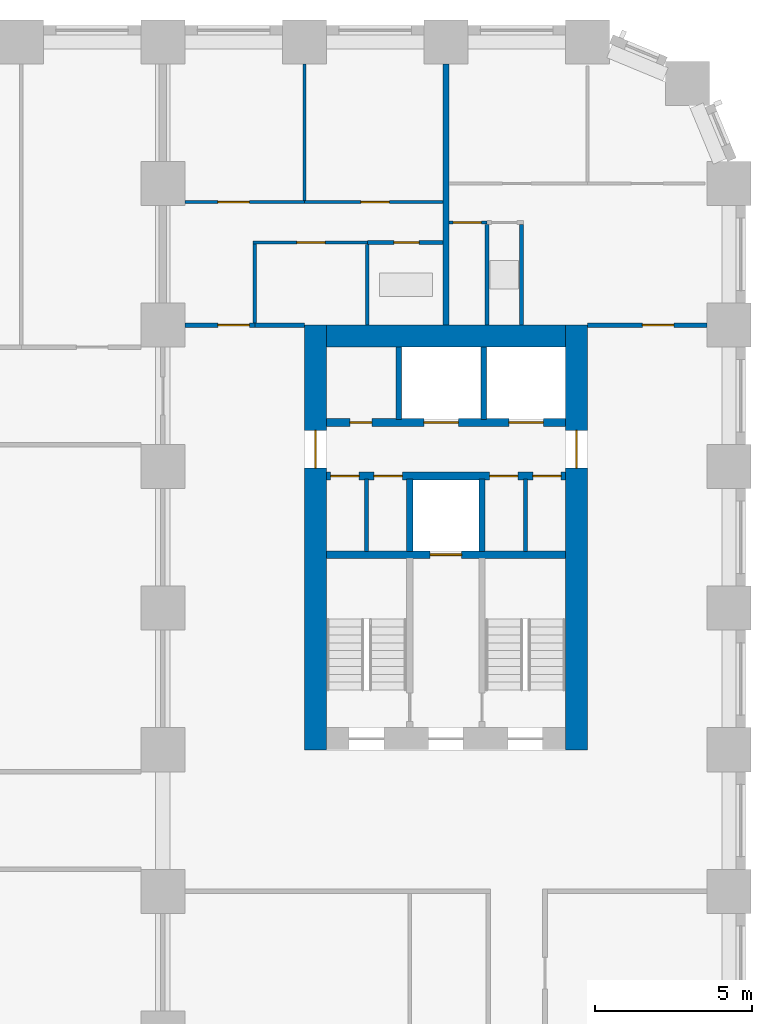
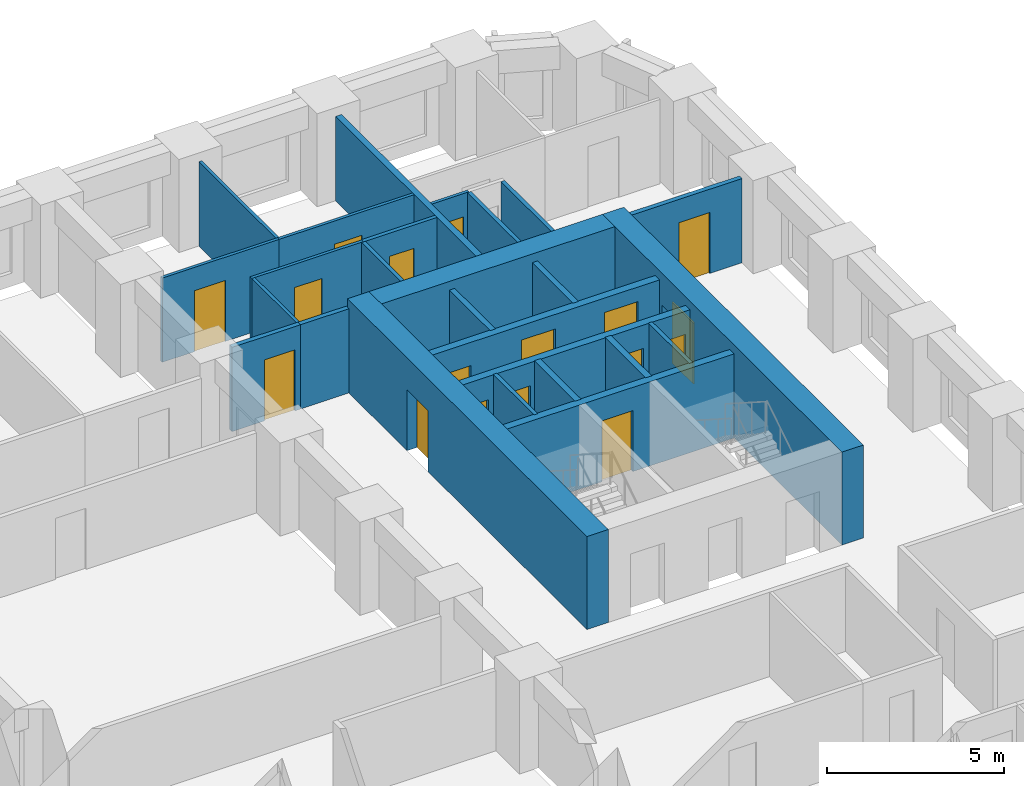
# One storey, part 8 of 12: 26 walls, 17 doors, 17 openings.
"""IFC4 building model written with IfcOpenShell, lengths in metres."""

from ifc_helpers import new_model, si_unit, direction, frame, frame_2d, origin, place, context, subcontext, project, spatial, rectangle, extrude, material, layer, layer_set, type_object, element, fill, save


model = new_model("IFC4")

# Units and contexts
model_context = context("Model", 3, precision=1e-05, world=origin(), true_north=direction((0.0, 1.0)))
body_context = subcontext(model_context, "Body", "Model", "MODEL_VIEW")
ifc_project = project(units=[si_unit("LENGTHUNIT", "METRE"), si_unit("AREAUNIT", "SQUARE_METRE"), si_unit("VOLUMEUNIT", "CUBIC_METRE"), si_unit("PLANEANGLEUNIT", "RADIAN"), si_unit("MASSUNIT", "GRAM", prefix="KILO")], contexts=[model_context])

# Site, building, storey
site_placement = place(None, origin())
site = spatial("IfcSite", under=ifc_project, at=site_placement, CompositionType="ELEMENT")
building_placement = place(site_placement, origin())
building = spatial("IfcBuilding", under=site, at=building_placement, Name="Girih Gate Residences", CompositionType="ELEMENT")
storey_placement = place(building_placement, frame((0.0, 0.0, 59.199951171875)))
storey = spatial("IfcBuildingStorey", under=building, at=storey_placement, Name="L15", CompositionType="ELEMENT", Elevation=59.199951171875)

# Wall, opening, door
ifc_material_1 = material(Name="Gypsum board on steel studs", Category="steel")
ifc_layer_1 = layer(ifc_material_1, 0.14990234375)
ifc_layer_set_1 = layer_set([ifc_layer_1], Name="Compartment wall 150 mm")
wall_type_1 = type_object("IfcWallType", Name="Compartment wall 150 mm", PredefinedType="PARTITIONING", material=ifc_layer_set_1)
wall_1_placement = place(storey_placement, frame((45.0, 40.5, 0.0), z_axis=(0.0, 0.0, 1.0), x_axis=(1.0, 0.0, 0.0)))
wall_1 = element("IfcWall", 1, at=wall_1_placement, inside=storey, type_object=wall_type_1, Name="L15 partition", PredefinedType="PARTITIONING", context=body_context, shape_type="SweptSolid", body=[
    extrude(rectangle(XDim=3.800048828125, YDim=0.14990234375, at=frame_2d((1.89990234375, 0.0))), origin(), (0.0, 0.0, 1.0), 2.900146484375),
])
opening_1_placement = place(wall_1_placement, frame((1.75, 0.0, 0.0)))
opening_1 = element("IfcOpeningElement", 2, at=opening_1_placement, cuts=wall_1, Name="Opening A15-032", PredefinedType="OPENING", context=body_context, shape_type="SweptSolid", body=[
    extrude(rectangle(XDim=1.0, YDim=2.10009765625, at=frame_2d((0.5, 1.050048828125))), frame((0.0, 0.0849609375, 0.0), z_axis=(0.0, -1.0, 0.0), x_axis=(1.0, 0.0, 0.0)), (0.0, 0.0, 1.0), 0.169921875),
])
ifc_material_2 = material(Name="Timber, fire-rated core", Category="wood")
door_type_1 = type_object("IfcDoorType", Name="Flat entrance door 1000x2100 FD30S", OperationType="NOTDEFINED", PredefinedType="DOOR", material=ifc_material_2)
door_1_placement = place(opening_1_placement, origin())
door_1 = element("IfcDoor", 3, at=door_1_placement, inside=storey, type_object=door_type_1, Name="Door A15-032", OperationType="SINGLE_SWING_RIGHT", OverallHeight=2.10009765625, OverallWidth=1.0, PredefinedType="DOOR", context=body_context, shape_type="SweptSolid", body=[
    extrude(rectangle(XDim=1.0, YDim=2.10009765625, at=frame_2d((0.5, 1.050048828125))), frame((0.0, 0.02490234375, 0.0), z_axis=(0.0, -1.0, 0.0), x_axis=(1.0, 0.0, 0.0)), (0.0, 0.0, 1.0), 0.050048828125),
])
fill(opening_1, door_1)

wall_2_placement = place(storey_placement, frame((32.199951171875, 40.5, 0.0), z_axis=(0.0, 0.0, 1.0), x_axis=(1.0, 0.0, 0.0)))
wall_2 = element("IfcWall", 4, at=wall_2_placement, inside=storey, type_object=wall_type_1, Name="L15 partition", PredefinedType="PARTITIONING", context=body_context, shape_type="SweptSolid", body=[
    extrude(rectangle(XDim=2.22509765625, YDim=0.14990234375, at=frame_2d((1.112548828125, 0.0))), origin(), (0.0, 0.0, 1.0), 2.900146484375),
])
opening_2_placement = place(wall_2_placement, frame((1.050048828125, 0.0, 0.0)))
opening_2 = element("IfcOpeningElement", 5, at=opening_2_placement, cuts=wall_2, Name="Opening A15-037", PredefinedType="OPENING", context=body_context, shape_type="SweptSolid", body=[
    extrude(rectangle(XDim=1.0, YDim=2.10009765625, at=frame_2d((0.5, 1.050048828125))), frame((0.0, 0.0849609375, 0.0), z_axis=(0.0, -1.0, 0.0), x_axis=(1.0, 0.0, 0.0)), (0.0, 0.0, 1.0), 0.169921875),
])
door_2_placement = place(opening_2_placement, origin())
door_2 = element("IfcDoor", 6, at=door_2_placement, inside=storey, type_object=door_type_1, Name="Door A15-037", OperationType="SINGLE_SWING_RIGHT", OverallHeight=2.10009765625, OverallWidth=1.0, PredefinedType="DOOR", context=body_context, shape_type="SweptSolid", body=[
    extrude(rectangle(XDim=1.0, YDim=2.10009765625, at=frame_2d((0.5, 1.050048828125))), frame((0.0, 0.02490234375, 0.0), z_axis=(0.0, -1.0, 0.0), x_axis=(1.0, 0.0, 0.0)), (0.0, 0.0, 1.0), 0.050048828125),
])
fill(opening_2, door_2)

# Walls
wall_3_placement = place(storey_placement, frame((34.425048828125, 40.5, 0.0), z_axis=(0.0, 0.0, 1.0), x_axis=(1.0, 0.0, 0.0)))
element("IfcWall", 7, at=wall_3_placement, inside=storey, type_object=wall_type_1, Name="L15 partition", PredefinedType="PARTITIONING", context=body_context, shape_type="SweptSolid", body=[
    extrude(rectangle(XDim=1.574951171875, YDim=0.14990234375, at=frame_2d((0.78759765625, 0.0))), origin(), (0.0, 0.0, 1.0), 2.900146484375),
])
ifc_material_3 = material(Name="Concrete C60/75", Category="concrete")
ifc_layer_2 = layer(ifc_material_3, 0.699951171875)
ifc_layer_set_2 = layer_set([ifc_layer_2], Name="Core wall RC 700 Concrete C60/75")
wall_type_2 = type_object("IfcWallType", Name="Core wall RC 700 Concrete C60/75", PredefinedType="SOLIDWALL", material=ifc_layer_set_2)
wall_4_placement = place(storey_placement, frame((36.699951171875, 40.14990234375, 0.0), z_axis=(0.0, 0.0, 1.0), x_axis=(1.0, 0.0, 0.0)))
element("IfcWall", 8, at=wall_4_placement, inside=storey, type_object=wall_type_2, Name="Core wall E-N L15", PredefinedType="SOLIDWALL", context=body_context, shape_type="SweptSolid", body=[
    extrude(rectangle(XDim=7.60009765625, YDim=0.699951171875, at=frame_2d((3.800048828125, 0.0))), origin(), (0.0, 0.0, 1.0), 3.199951171875),
])

# Wall, opening, door
wall_5_placement = place(storey_placement, frame((36.35009765625, 27.0, 0.0), z_axis=(0.0, 0.0, 1.0), x_axis=(0.0, 1.0, 0.0)))
wall_5 = element("IfcWall", 9, at=wall_5_placement, inside=storey, type_object=wall_type_2, Name="Core wall E-W L15", PredefinedType="SOLIDWALL", context=body_context, shape_type="SweptSolid", body=[
    extrude(rectangle(XDim=13.5, YDim=0.699951171875, at=frame_2d((6.75, 0.0))), origin(), (0.0, 0.0, 1.0), 3.199951171875),
])
opening_3_placement = place(wall_5_placement, frame((8.949951171875, 0.0, 0.0)))
opening_3 = element("IfcOpeningElement", 10, at=opening_3_placement, cuts=wall_5, Name="Opening D-L15-E-014", PredefinedType="OPENING", context=body_context, shape_type="SweptSolid", body=[
    extrude(rectangle(XDim=1.199951171875, YDim=2.10009765625, at=frame_2d((0.60009765625, 1.050048828125))), frame((0.0, 0.35986328125, 0.0), z_axis=(0.0, -1.0, 0.0), x_axis=(1.0, 0.0, 0.0)), (0.0, 0.0, 1.0), 0.719970703125),
])
ifc_material_4 = material(Name="Painted steel, fire-resisting", Category="steel")
door_type_2 = type_object("IfcDoorType", Name="Fire door 1200x2100", OperationType="SINGLE_SWING_LEFT", PredefinedType="DOOR", material=ifc_material_4)
door_3_placement = place(opening_3_placement, origin())
door_3 = element("IfcDoor", 11, at=door_3_placement, inside=storey, type_object=door_type_2, Name="L15 E core door ll-w", OperationType="SINGLE_SWING_LEFT", OverallHeight=2.10009765625, OverallWidth=1.199951171875, PredefinedType="DOOR", context=body_context, shape_type="SweptSolid", body=[
    extrude(rectangle(XDim=1.199951171875, YDim=2.10009765625, at=frame_2d((0.60009765625, 1.050048828125))), frame((0.0, 0.02490234375, 0.0), z_axis=(0.0, -1.0, 0.0), x_axis=(1.0, 0.0, 0.0)), (0.0, 0.0, 1.0), 0.050048828125),
])
fill(opening_3, door_3)

wall_6_placement = place(storey_placement, frame((44.64990234375, 27.0, 0.0), z_axis=(0.0, 0.0, 1.0), x_axis=(0.0, 1.0, 0.0)))
wall_6 = element("IfcWall", 12, at=wall_6_placement, inside=storey, type_object=wall_type_2, Name="Core wall E-E L15", PredefinedType="SOLIDWALL", context=body_context, shape_type="SweptSolid", body=[
    extrude(rectangle(XDim=13.5, YDim=0.699951171875, at=frame_2d((6.75, 0.0))), origin(), (0.0, 0.0, 1.0), 3.199951171875),
])
opening_4_placement = place(wall_6_placement, frame((8.949951171875, 0.0, 0.0)))
opening_4 = element("IfcOpeningElement", 13, at=opening_4_placement, cuts=wall_6, Name="Opening D-L15-E-015", PredefinedType="OPENING", context=body_context, shape_type="SweptSolid", body=[
    extrude(rectangle(XDim=1.199951171875, YDim=2.10009765625, at=frame_2d((0.60009765625, 1.050048828125))), frame((0.0, 0.35986328125, 0.0), z_axis=(0.0, -1.0, 0.0), x_axis=(1.0, 0.0, 0.0)), (0.0, 0.0, 1.0), 0.719970703125),
])
door_4_placement = place(opening_4_placement, origin())
door_4 = element("IfcDoor", 14, at=door_4_placement, inside=storey, type_object=door_type_2, Name="L15 E core door ll-e", OperationType="SINGLE_SWING_LEFT", OverallHeight=2.10009765625, OverallWidth=1.199951171875, PredefinedType="DOOR", context=body_context, shape_type="SweptSolid", body=[
    extrude(rectangle(XDim=1.199951171875, YDim=2.10009765625, at=frame_2d((0.60009765625, 1.050048828125))), frame((0.0, 0.02490234375, 0.0), z_axis=(0.0, -1.0, 0.0), x_axis=(1.0, 0.0, 0.0)), (0.0, 0.0, 1.0), 0.050048828125),
])
fill(opening_4, door_4)

ifc_material_5 = material(Name="Concrete C40/50", Category="concrete")
ifc_layer_3 = layer(ifc_material_5, 0.25)
ifc_layer_set_3 = layer_set([ifc_layer_3], Name="Lift shaft wall 250")
wall_type_3 = type_object("IfcWallType", Name="Lift shaft wall 250", PredefinedType="SOLIDWALL", material=ifc_layer_set_3)
wall_7_placement = place(storey_placement, frame((36.699951171875, 33.199951171875, 0.0), z_axis=(0.0, 0.0, 1.0), x_axis=(1.0, 0.0, 0.0)))
wall_7 = element("IfcWall", 15, at=wall_7_placement, inside=storey, type_object=wall_type_3, Name="L15 E core wall H1", PredefinedType="SOLIDWALL", context=body_context, shape_type="SweptSolid", body=[
    extrude(rectangle(XDim=7.60009765625, YDim=0.25, at=frame_2d((3.800048828125, 0.0))), origin(), (0.0, 0.0, 1.0), 2.900146484375),
])
opening_5_placement = place(wall_7_placement, frame((3.300048828125, 0.0, 0.0)))
opening_5 = element("IfcOpeningElement", 16, at=opening_5_placement, cuts=wall_7, Name="Opening D-L15-E-005", PredefinedType="OPENING", context=body_context, shape_type="SweptSolid", body=[
    extrude(rectangle(XDim=1.0, YDim=2.10009765625, at=frame_2d((0.5, 1.050048828125))), frame((0.0, 0.135009765625, 0.0), z_axis=(0.0, -1.0, 0.0), x_axis=(1.0, 0.0, 0.0)), (0.0, 0.0, 1.0), 0.27001953125),
])
ifc_material_6 = material(Name="Stainless steel, fire-resisting", Category="steel")
door_type_3 = type_object("IfcDoorType", Name="Firefighting lift landing door 1000x2100", OperationType="SLIDING_TO_LEFT", PredefinedType="DOOR", material=ifc_material_6)
door_5_placement = place(opening_5_placement, origin())
door_5 = element("IfcDoor", 17, at=door_5_placement, inside=storey, type_object=door_type_3, Name="L15 lift FF-E landing door", OperationType="SLIDING_TO_LEFT", OverallHeight=2.10009765625, OverallWidth=1.0, PredefinedType="DOOR", context=body_context, shape_type="SweptSolid", body=[
    extrude(rectangle(XDim=1.0, YDim=2.10009765625, at=frame_2d((0.5, 1.050048828125))), frame((0.0, 0.02490234375, 0.0), z_axis=(0.0, -1.0, 0.0), x_axis=(1.0, 0.0, 0.0)), (0.0, 0.0, 1.0), 0.050048828125),
])
fill(opening_5, door_5)

# Wall, openings, doors
wall_8_placement = place(storey_placement, frame((36.699951171875, 35.699951171875, 0.0), z_axis=(0.0, 0.0, 1.0), x_axis=(1.0, 0.0, 0.0)))
wall_8 = element("IfcWall", 18, at=wall_8_placement, inside=storey, type_object=wall_type_3, Name="L15 E core wall H2", PredefinedType="SOLIDWALL", context=body_context, shape_type="SweptSolid", body=[
    extrude(rectangle(XDim=7.60009765625, YDim=0.25, at=frame_2d((3.800048828125, 0.0))), origin(), (0.0, 0.0, 1.0), 2.900146484375),
])
opening_6_placement = place(wall_8_placement, frame((6.5625, 0.0, 0.0)))
opening_6 = element("IfcOpeningElement", 19, at=opening_6_placement, cuts=wall_8, Name="Opening D-L15-E-007", PredefinedType="OPENING", context=body_context, shape_type="SweptSolid", body=[
    extrude(rectangle(XDim=0.89990234375, YDim=2.10009765625, at=frame_2d((0.449951171875, 1.050048828125))), frame((0.0, 0.135009765625, 0.0), z_axis=(0.0, -1.0, 0.0), x_axis=(1.0, 0.0, 0.0)), (0.0, 0.0, 1.0), 0.27001953125),
])
opening_7_placement = place(wall_8_placement, frame((5.1875, 0.0, 0.0)))
opening_7 = element("IfcOpeningElement", 20, at=opening_7_placement, cuts=wall_8, Name="Opening D-L15-E-008", PredefinedType="OPENING", context=body_context, shape_type="SweptSolid", body=[
    extrude(rectangle(XDim=0.89990234375, YDim=2.10009765625, at=frame_2d((0.449951171875, 1.050048828125))), frame((0.0, 0.135009765625, 0.0), z_axis=(0.0, -1.0, 0.0), x_axis=(1.0, 0.0, 0.0)), (0.0, 0.0, 1.0), 0.27001953125),
])
opening_8_placement = place(wall_8_placement, frame((1.512451171875, 0.0, 0.0)))
opening_8 = element("IfcOpeningElement", 21, at=opening_8_placement, cuts=wall_8, Name="Opening D-L15-E-009", PredefinedType="OPENING", context=body_context, shape_type="SweptSolid", body=[
    extrude(rectangle(XDim=0.89990234375, YDim=2.10009765625, at=frame_2d((0.449951171875, 1.050048828125))), frame((0.0, 0.135009765625, 0.0), z_axis=(0.0, -1.0, 0.0), x_axis=(1.0, 0.0, 0.0)), (0.0, 0.0, 1.0), 0.27001953125),
])
opening_9_placement = place(wall_8_placement, frame((0.137451171875, 0.0, 0.0)))
opening_9 = element("IfcOpeningElement", 22, at=opening_9_placement, cuts=wall_8, Name="Opening D-L15-E-010", PredefinedType="OPENING", context=body_context, shape_type="SweptSolid", body=[
    extrude(rectangle(XDim=0.89990234375, YDim=2.10009765625, at=frame_2d((0.449951171875, 1.050048828125))), frame((0.0, 0.135009765625, 0.0), z_axis=(0.0, -1.0, 0.0), x_axis=(1.0, 0.0, 0.0)), (0.0, 0.0, 1.0), 0.27001953125),
])
door_type_4 = type_object("IfcDoorType", Name="Fire door 900x2100", OperationType="SINGLE_SWING_LEFT", PredefinedType="DOOR", material=ifc_material_4)
door_6_placement = place(opening_6_placement, origin())
door_6 = element("IfcDoor", 23, at=door_6_placement, inside=storey, type_object=door_type_4, Name="L15 E it room door", OperationType="SINGLE_SWING_LEFT", OverallHeight=2.10009765625, OverallWidth=0.89990234375, PredefinedType="DOOR", context=body_context, shape_type="SweptSolid", body=[
    extrude(rectangle(XDim=0.89990234375, YDim=2.10009765625, at=frame_2d((0.449951171875, 1.050048828125))), frame((0.0, 0.02490234375, 0.0), z_axis=(0.0, -1.0, 0.0), x_axis=(1.0, 0.0, 0.0)), (0.0, 0.0, 1.0), 0.050048828125),
])
fill(opening_6, door_6)
door_7_placement = place(opening_7_placement, origin())
door_7 = element("IfcDoor", 24, at=door_7_placement, inside=storey, type_object=door_type_4, Name="L15 E maintenance store door", OperationType="SINGLE_SWING_LEFT", OverallHeight=2.10009765625, OverallWidth=0.89990234375, PredefinedType="DOOR", context=body_context, shape_type="SweptSolid", body=[
    extrude(rectangle(XDim=0.89990234375, YDim=2.10009765625, at=frame_2d((0.449951171875, 1.050048828125))), frame((0.0, 0.02490234375, 0.0), z_axis=(0.0, -1.0, 0.0), x_axis=(1.0, 0.0, 0.0)), (0.0, 0.0, 1.0), 0.050048828125),
])
fill(opening_7, door_7)
door_8_placement = place(opening_8_placement, origin())
door_8 = element("IfcDoor", 25, at=door_8_placement, inside=storey, type_object=door_type_4, Name="L15 E riser room door", OperationType="SINGLE_SWING_LEFT", OverallHeight=2.10009765625, OverallWidth=0.89990234375, PredefinedType="DOOR", context=body_context, shape_type="SweptSolid", body=[
    extrude(rectangle(XDim=0.89990234375, YDim=2.10009765625, at=frame_2d((0.449951171875, 1.050048828125))), frame((0.0, 0.02490234375, 0.0), z_axis=(0.0, -1.0, 0.0), x_axis=(1.0, 0.0, 0.0)), (0.0, 0.0, 1.0), 0.050048828125),
])
fill(opening_8, door_8)
door_9_placement = place(opening_9_placement, origin())
door_9 = element("IfcDoor", 26, at=door_9_placement, inside=storey, type_object=door_type_4, Name="L15 E linen store door", OperationType="SINGLE_SWING_LEFT", OverallHeight=2.10009765625, OverallWidth=0.89990234375, PredefinedType="DOOR", context=body_context, shape_type="SweptSolid", body=[
    extrude(rectangle(XDim=0.89990234375, YDim=2.10009765625, at=frame_2d((0.449951171875, 1.050048828125))), frame((0.0, 0.02490234375, 0.0), z_axis=(0.0, -1.0, 0.0), x_axis=(1.0, 0.0, 0.0)), (0.0, 0.0, 1.0), 0.050048828125),
])
fill(opening_9, door_9)

wall_9_placement = place(storey_placement, frame((36.699951171875, 37.39990234375, 0.0), z_axis=(0.0, 0.0, 1.0), x_axis=(1.0, 0.0, 0.0)))
wall_9 = element("IfcWall", 27, at=wall_9_placement, inside=storey, type_object=wall_type_3, Name="L15 E core wall H3", PredefinedType="SOLIDWALL", context=body_context, shape_type="SweptSolid", body=[
    extrude(rectangle(XDim=7.60009765625, YDim=0.25, at=frame_2d((3.800048828125, 0.0))), origin(), (0.0, 0.0, 1.0), 2.900146484375),
])
opening_10_placement = place(wall_9_placement, frame((5.800048828125, 0.0, 0.0)))
opening_10 = element("IfcOpeningElement", 28, at=opening_10_placement, cuts=wall_9, Name="Opening D-L15-E-003", PredefinedType="OPENING", context=body_context, shape_type="SweptSolid", body=[
    extrude(rectangle(XDim=1.10009765625, YDim=2.39990234375, at=frame_2d((0.550048828125, 1.199951171875))), frame((0.0, 0.135009765625, 0.0), z_axis=(0.0, -1.0, 0.0), x_axis=(1.0, 0.0, 0.0)), (0.0, 0.0, 1.0), 0.27001953125),
])
opening_11_placement = place(wall_9_placement, frame((3.10009765625, 0.0, 0.0)))
opening_11 = element("IfcOpeningElement", 29, at=opening_11_placement, cuts=wall_9, Name="Opening D-L15-E-004", PredefinedType="OPENING", context=body_context, shape_type="SweptSolid", body=[
    extrude(rectangle(XDim=1.10009765625, YDim=2.39990234375, at=frame_2d((0.550048828125, 1.199951171875))), frame((0.0, 0.135009765625, 0.0), z_axis=(0.0, -1.0, 0.0), x_axis=(1.0, 0.0, 0.0)), (0.0, 0.0, 1.0), 0.27001953125),
])
opening_12_placement = place(wall_9_placement, frame((0.75, 0.0, 0.0)))
opening_12 = element("IfcOpeningElement", 30, at=opening_12_placement, cuts=wall_9, Name="Opening D-L15-E-006", PredefinedType="OPENING", context=body_context, shape_type="SweptSolid", body=[
    extrude(rectangle(XDim=0.699951171875, YDim=2.10009765625, at=frame_2d((0.35009765625, 1.050048828125))), frame((0.0, 0.135009765625, 0.0), z_axis=(0.0, -1.0, 0.0), x_axis=(1.0, 0.0, 0.0)), (0.0, 0.0, 1.0), 0.27001953125),
])
ifc_material_7 = material(Name="Stainless steel", Category="steel")
door_type_5 = type_object("IfcDoorType", Name="Lift landing door 1100x2400", OperationType="SLIDING_TO_LEFT", PredefinedType="DOOR", material=ifc_material_7)
door_10_placement = place(opening_10_placement, origin())
door_10 = element("IfcDoor", 31, at=door_10_placement, inside=storey, type_object=door_type_5, Name="L15 lift LR-E1 landing door", OperationType="SLIDING_TO_LEFT", OverallHeight=2.39990234375, OverallWidth=1.10009765625, PredefinedType="DOOR", context=body_context, shape_type="SweptSolid", body=[
    extrude(rectangle(XDim=1.10009765625, YDim=2.39990234375, at=frame_2d((0.550048828125, 1.199951171875))), frame((0.0, 0.02490234375, 0.0), z_axis=(0.0, -1.0, 0.0), x_axis=(1.0, 0.0, 0.0)), (0.0, 0.0, 1.0), 0.050048828125),
])
fill(opening_10, door_10)
door_11_placement = place(opening_11_placement, origin())
door_11 = element("IfcDoor", 32, at=door_11_placement, inside=storey, type_object=door_type_5, Name="L15 lift LR-E2 landing door", OperationType="SLIDING_TO_LEFT", OverallHeight=2.39990234375, OverallWidth=1.10009765625, PredefinedType="DOOR", context=body_context, shape_type="SweptSolid", body=[
    extrude(rectangle(XDim=1.10009765625, YDim=2.39990234375, at=frame_2d((0.550048828125, 1.199951171875))), frame((0.0, 0.02490234375, 0.0), z_axis=(0.0, -1.0, 0.0), x_axis=(1.0, 0.0, 0.0)), (0.0, 0.0, 1.0), 0.050048828125),
])
fill(opening_11, door_11)
door_type_6 = type_object("IfcDoorType", Name="Riser access door 700x2100", OperationType="SINGLE_SWING_LEFT", PredefinedType="DOOR", material=ifc_material_4)
door_12_placement = place(opening_12_placement, origin())
door_12 = element("IfcDoor", 33, at=door_12_placement, inside=storey, type_object=door_type_6, Name="L15 E riser room door", OperationType="SINGLE_SWING_LEFT", OverallHeight=2.10009765625, OverallWidth=0.699951171875, PredefinedType="DOOR", context=body_context, shape_type="SweptSolid", body=[
    extrude(rectangle(XDim=0.699951171875, YDim=2.10009765625, at=frame_2d((0.35009765625, 1.050048828125))), frame((0.0, 0.02490234375, 0.0), z_axis=(0.0, -1.0, 0.0), x_axis=(1.0, 0.0, 0.0)), (0.0, 0.0, 1.0), 0.050048828125),
])
fill(opening_12, door_12)

# Wall, opening, door
ifc_layer_4 = layer(ifc_material_1, 0.10009765625)
ifc_layer_set_4 = layer_set([ifc_layer_4], Name="Partition 100 mm")
wall_type_4 = type_object("IfcWallType", Name="Partition 100 mm", PredefinedType="PARTITIONING", material=ifc_layer_set_4)
wall_10_placement = place(storey_placement, frame((41.80908203125, 43.760009765625, 0.0), z_axis=(0.0, 0.0, 1.0), x_axis=(-1.0, 0.0, 0.0)))
wall_10 = element("IfcWall", 34, at=wall_10_placement, inside=storey, type_object=wall_type_4, Name="L15 partition", PredefinedType="PARTITIONING", context=body_context, shape_type="SweptSolid", body=[
    extrude(rectangle(XDim=1.208984375, YDim=0.10009765625, at=frame_2d((0.6044921875, 0.0))), origin(), (0.0, 0.0, 1.0), 2.900146484375),
])
opening_13_placement = place(wall_10_placement, frame((0.17919921875, 0.0, 0.0)))
opening_13 = element("IfcOpeningElement", 35, at=opening_13_placement, cuts=wall_10, Name="Opening A15-030", PredefinedType="OPENING", context=body_context, shape_type="SweptSolid", body=[
    extrude(rectangle(XDim=0.89990234375, YDim=2.10009765625, at=frame_2d((0.449951171875, 1.050048828125))), frame((0.0, 0.06005859375, 0.0), z_axis=(0.0, -1.0, 0.0), x_axis=(1.0, 0.0, 0.0)), (0.0, 0.0, 1.0), 0.1201171875),
])
ifc_material_8 = material(Name="Timber", Category="wood")
door_type_7 = type_object("IfcDoorType", Name="Kitchen door 900x2100", OperationType="NOTDEFINED", PredefinedType="DOOR", material=ifc_material_8)
door_13_placement = place(opening_13_placement, origin())
door_13 = element("IfcDoor", 36, at=door_13_placement, inside=storey, type_object=door_type_7, Name="Door A15-030", OperationType="SINGLE_SWING_RIGHT", OverallHeight=2.10009765625, OverallWidth=0.89990234375, PredefinedType="DOOR", context=body_context, shape_type="SweptSolid", body=[
    extrude(rectangle(XDim=0.89990234375, YDim=2.10009765625, at=frame_2d((0.449951171875, 1.050048828125))), frame((0.0, 0.02490234375, 0.0), z_axis=(0.0, -1.0, 0.0), x_axis=(1.0, 0.0, 0.0)), (0.0, 0.0, 1.0), 0.050048828125),
])
fill(opening_13, door_13)

wall_11_placement = place(storey_placement, frame((36.0, 44.409912109375, 0.0), z_axis=(0.0, 0.0, 1.0), x_axis=(1.0, 0.0, 0.0)))
wall_11 = element("IfcWall", 37, at=wall_11_placement, inside=storey, type_object=wall_type_4, Name="L15 partition", PredefinedType="PARTITIONING", context=body_context, shape_type="SweptSolid", body=[
    extrude(rectangle(XDim=4.39990234375, YDim=0.10009765625, at=frame_2d((2.199951171875, 0.0))), origin(), (0.0, 0.0, 1.0), 2.900146484375),
])
opening_14_placement = place(wall_11_placement, frame((1.800048828125, 0.0, 0.0)))
opening_14 = element("IfcOpeningElement", 38, at=opening_14_placement, cuts=wall_11, Name="Opening A15-034", PredefinedType="OPENING", context=body_context, shape_type="SweptSolid", body=[
    extrude(rectangle(XDim=0.89990234375, YDim=2.10009765625, at=frame_2d((0.449951171875, 1.050048828125))), frame((0.0, 0.06005859375, 0.0), z_axis=(0.0, -1.0, 0.0), x_axis=(1.0, 0.0, 0.0)), (0.0, 0.0, 1.0), 0.1201171875),
])
door_type_8 = type_object("IfcDoorType", Name="Bedroom door 900x2100", OperationType="NOTDEFINED", PredefinedType="DOOR", material=ifc_material_8)
door_14_placement = place(opening_14_placement, origin())
door_14 = element("IfcDoor", 39, at=door_14_placement, inside=storey, type_object=door_type_8, Name="Door A15-034", OperationType="SINGLE_SWING_RIGHT", OverallHeight=2.10009765625, OverallWidth=0.89990234375, PredefinedType="DOOR", context=body_context, shape_type="SweptSolid", body=[
    extrude(rectangle(XDim=0.89990234375, YDim=2.10009765625, at=frame_2d((0.449951171875, 1.050048828125))), frame((0.0, 0.02490234375, 0.0), z_axis=(0.0, -1.0, 0.0), x_axis=(1.0, 0.0, 0.0)), (0.0, 0.0, 1.0), 0.050048828125),
])
fill(opening_14, door_14)

# Wall
wall_12_placement = place(storey_placement, frame((36.0, 44.4599609375, 0.0), z_axis=(0.0, 0.0, 1.0), x_axis=(0.0, 1.0, 0.0)))
element("IfcWall", 40, at=wall_12_placement, inside=storey, type_object=wall_type_4, Name="L15 partition", PredefinedType="PARTITIONING", context=body_context, shape_type="SweptSolid", body=[
    extrude(rectangle(XDim=4.340087890625, YDim=0.10009765625, at=frame_2d((2.169921875, 0.0))), origin(), (0.0, 0.0, 1.0), 2.900146484375),
])

# Wall, opening, door
wall_13_placement = place(storey_placement, frame((37.99951171875, 43.1298828125, 0.0), z_axis=(0.0, 0.0, 1.0), x_axis=(-1.0, 0.0, 0.0)))
wall_13 = element("IfcWall", 41, at=wall_13_placement, inside=storey, type_object=wall_type_4, Name="L15 partition", PredefinedType="PARTITIONING", context=body_context, shape_type="SweptSolid", body=[
    extrude(rectangle(XDim=3.62451171875, YDim=0.10009765625, at=frame_2d((1.812255859375, 0.0))), origin(), (0.0, 0.0, 1.0), 2.900146484375),
])
opening_15_placement = place(wall_13_placement, frame((1.33740234375, 0.0, 0.0)))
opening_15 = element("IfcOpeningElement", 42, at=opening_15_placement, cuts=wall_13, Name="Opening A15-035", PredefinedType="OPENING", context=body_context, shape_type="SweptSolid", body=[
    extrude(rectangle(XDim=0.89990234375, YDim=2.10009765625, at=frame_2d((0.449951171875, 1.050048828125))), frame((0.0, 0.06005859375, 0.0), z_axis=(0.0, -1.0, 0.0), x_axis=(1.0, 0.0, 0.0)), (0.0, 0.0, 1.0), 0.1201171875),
])
door_15_placement = place(opening_15_placement, origin())
door_15 = element("IfcDoor", 43, at=door_15_placement, inside=storey, type_object=door_type_7, Name="Door A15-035", OperationType="SINGLE_SWING_LEFT", OverallHeight=2.10009765625, OverallWidth=0.89990234375, PredefinedType="DOOR", context=body_context, shape_type="SweptSolid", body=[
    extrude(rectangle(XDim=0.89990234375, YDim=2.10009765625, at=frame_2d((0.449951171875, 1.050048828125))), frame((0.0, 0.02490234375, 0.0), z_axis=(0.0, -1.0, 0.0), x_axis=(1.0, 0.0, 0.0)), (0.0, 0.0, 1.0), 0.050048828125),
])
fill(opening_15, door_15)

# Wall
wall_14_placement = place(storey_placement, frame((34.425048828125, 40.574951171875, 0.0), z_axis=(0.0, 0.0, 1.0), x_axis=(0.0, 1.0, 0.0)))
element("IfcWall", 44, at=wall_14_placement, inside=storey, type_object=wall_type_4, Name="L15 partition", PredefinedType="PARTITIONING", context=body_context, shape_type="SweptSolid", body=[
    extrude(rectangle(XDim=2.505126953125, YDim=0.10009765625, at=frame_2d((1.25244140625, 0.0))), origin(), (0.0, 0.0, 1.0), 2.900146484375),
])

# Wall, opening, door
wall_15_placement = place(storey_placement, frame((32.199951171875, 44.409912109375, 0.0), z_axis=(0.0, 0.0, 1.0), x_axis=(1.0, 0.0, 0.0)))
wall_15 = element("IfcWall", 45, at=wall_15_placement, inside=storey, type_object=wall_type_4, Name="L15 partition", PredefinedType="PARTITIONING", context=body_context, shape_type="SweptSolid", body=[
    extrude(rectangle(XDim=3.800048828125, YDim=0.10009765625, at=frame_2d((1.89990234375, 0.0))), origin(), (0.0, 0.0, 1.0), 2.900146484375),
])
opening_16_placement = place(wall_15_placement, frame((1.050048828125, 0.0, 0.0)))
opening_16 = element("IfcOpeningElement", 46, at=opening_16_placement, cuts=wall_15, Name="Opening A15-036", PredefinedType="OPENING", context=body_context, shape_type="SweptSolid", body=[
    extrude(rectangle(XDim=1.0, YDim=2.10009765625, at=frame_2d((0.5, 1.050048828125))), frame((0.0, 0.06005859375, 0.0), z_axis=(0.0, -1.0, 0.0), x_axis=(1.0, 0.0, 0.0)), (0.0, 0.0, 1.0), 0.1201171875),
])
door_type_9 = type_object("IfcDoorType", Name="Living room door 1000x2100", OperationType="NOTDEFINED", PredefinedType="DOOR", material=ifc_material_8)
door_16_placement = place(opening_16_placement, origin())
door_16 = element("IfcDoor", 47, at=door_16_placement, inside=storey, type_object=door_type_9, Name="Door A15-036", OperationType="SINGLE_SWING_LEFT", OverallHeight=2.10009765625, OverallWidth=1.0, PredefinedType="DOOR", context=body_context, shape_type="SweptSolid", body=[
    extrude(rectangle(XDim=1.0, YDim=2.10009765625, at=frame_2d((0.5, 1.050048828125))), frame((0.0, 0.02490234375, 0.0), z_axis=(0.0, -1.0, 0.0), x_axis=(1.0, 0.0, 0.0)), (0.0, 0.0, 1.0), 0.050048828125),
])
fill(opening_16, door_16)

# Walls
ifc_layer_5 = layer(ifc_material_1, 0.199951171875)
ifc_layer_set_5 = layer_set([ifc_layer_5], Name="Party wall 200 mm")
wall_type_5 = type_object("IfcWallType", Name="Party wall 200 mm", PredefinedType="PARTITIONING", material=ifc_layer_set_5)
wall_16_placement = place(storey_placement, frame((40.5, 40.5, 0.0), z_axis=(0.0, 0.0, 1.0), x_axis=(0.0, 1.0, 0.0)))
element("IfcWall", 48, at=wall_16_placement, inside=storey, type_object=wall_type_5, Name="L15 partition", PredefinedType="PARTITIONING", context=body_context, shape_type="SweptSolid", body=[
    extrude(rectangle(XDim=8.300048828125, YDim=0.199951171875, at=frame_2d((4.14990234375, 0.0))), origin(), (0.0, 0.0, 1.0), 2.900146484375),
])
ifc_layer_6 = layer(ifc_material_5, 0.175048828125)
ifc_layer_set_6 = layer_set([ifc_layer_6], Name="Riser shaft wall 175")
wall_type_6 = type_object("IfcWallType", Name="Riser shaft wall 175", PredefinedType="SOLIDWALL", material=ifc_layer_set_6)
for number, where, z_axis, x_axis, name in (
    (49, (41.699951171875, 37.5, 0.0), (0.0, 0.0, 1.0), (0.0, 1.0, 0.0), "L15 E core wall V1c"),
    (50, (39.0, 37.5, 0.0), (0.0, 0.0, 1.0), (0.0, 1.0, 0.0), "L15 E core wall V2c"),
):
    element("IfcWall", number, at=place(storey_placement, frame(where, z_axis=z_axis, x_axis=x_axis)), inside=storey, type_object=wall_type_6, Name=name, PredefinedType="SOLIDWALL", context=body_context, shape_type="SweptSolid", body=[
        extrude(rectangle(XDim=2.300048828125, YDim=0.175048828125, at=frame_2d((1.14990234375, 0.0))), origin(), (0.0, 0.0, 1.0), 2.900146484375),
    ])
ifc_layer_7 = layer(ifc_material_5, 0.199951171875)
ifc_layer_set_7 = layer_set([ifc_layer_7], Name="Shaft wall 200")
wall_type_7 = type_object("IfcWallType", Name="Shaft wall 200", PredefinedType="SOLIDWALL", material=ifc_layer_set_7)
for number, where, z_axis, x_axis, name in (
    (51, (41.64990234375, 33.300048828125, 0.0), (0.0, 0.0, 1.0), (0.0, 1.0, 0.0), "L15 E core wall V1b"),
    (52, (39.35009765625, 33.300048828125, 0.0), (0.0, 0.0, 1.0), (0.0, 1.0, 0.0), "L15 E core wall V2b"),
):
    element("IfcWall", number, at=place(storey_placement, frame(where, z_axis=z_axis, x_axis=x_axis)), inside=storey, type_object=wall_type_7, Name=name, PredefinedType="SOLIDWALL", context=body_context, shape_type="SweptSolid", body=[
        extrude(rectangle(XDim=2.300048828125, YDim=0.199951171875, at=frame_2d((1.14990234375, 0.0))), origin(), (0.0, 0.0, 1.0), 2.900146484375),
    ])
ifc_material_9 = material(Name="Calcium silicate blockwork", Category="masonry")
ifc_layer_8 = layer(ifc_material_9, 0.125)
ifc_layer_set_8 = layer_set([ifc_layer_8], Name="Store partition 125")
wall_type_8 = type_object("IfcWallType", Name="Store partition 125", PredefinedType="PARTITIONING", material=ifc_layer_set_8)
for number, where, z_axis, x_axis, name in (
    (53, (43.02490234375, 33.300048828125, 0.0), (0.0, 0.0, 1.0), (0.0, 1.0, 0.0), "L15 E core wall SHR1"),
    (54, (37.97509765625, 33.300048828125, 0.0), (0.0, 0.0, 1.0), (0.0, 1.0, 0.0), "L15 E core wall SHR2"),
):
    element("IfcWall", number, at=place(storey_placement, frame(where, z_axis=z_axis, x_axis=x_axis)), inside=storey, type_object=wall_type_8, Name=name, PredefinedType="PARTITIONING", context=body_context, shape_type="SweptSolid", body=[
        extrude(rectangle(XDim=2.300048828125, YDim=0.125, at=frame_2d((1.14990234375, 0.0))), origin(), (0.0, 0.0, 1.0), 2.900146484375),
    ])
ifc_layer_9 = layer(ifc_material_1, 0.125)
ifc_layer_set_9 = layer_set([ifc_layer_9], Name="Wet room wall 125 mm")
wall_type_9 = type_object("IfcWallType", Name="Wet room wall 125 mm", PredefinedType="PARTITIONING", material=ifc_layer_set_9)
for number, where, z_axis, x_axis, name in (
    (55, (42.89990234375, 40.5, 0.0), (0.0, 0.0, 1.0), (0.0, 1.0, 0.0), "L15 partition"),
    (56, (41.80908203125, 40.5, 0.0), (0.0, 0.0, 1.0), (0.0, 1.0, 0.0), "L15 partition"),
):
    element("IfcWall", number, at=place(storey_placement, frame(where, z_axis=z_axis, x_axis=x_axis)), inside=storey, type_object=wall_type_9, Name=name, PredefinedType="PARTITIONING", context=body_context, shape_type="SweptSolid", body=[
        extrude(rectangle(XDim=3.197509765625, YDim=0.125, at=frame_2d((1.5986328125, 0.0))), origin(), (0.0, 0.0, 1.0), 2.900146484375),
    ])

# Wall, opening, door
wall_17_placement = place(storey_placement, frame((40.39990234375, 43.1298828125, 0.0), z_axis=(0.0, 0.0, 1.0), x_axis=(-1.0, 0.0, 0.0)))
wall_17 = element("IfcWall", 57, at=wall_17_placement, inside=storey, type_object=wall_type_9, Name="L15 partition", PredefinedType="PARTITIONING", context=body_context, shape_type="SweptSolid", body=[
    extrude(rectangle(XDim=2.400390625, YDim=0.125, at=frame_2d((1.2001953125, 0.0))), origin(), (0.0, 0.0, 1.0), 2.900146484375),
])
opening_17_placement = place(wall_17_placement, frame((0.750244140625, 0.0, 0.0)))
opening_17 = element("IfcOpeningElement", 58, at=opening_17_placement, cuts=wall_17, Name="Opening A15-033", PredefinedType="OPENING", context=body_context, shape_type="SweptSolid", body=[
    extrude(rectangle(XDim=0.800048828125, YDim=2.10009765625, at=frame_2d((0.39990234375, 1.050048828125))), frame((0.0, 0.072509765625, 0.0), z_axis=(0.0, -1.0, 0.0), x_axis=(1.0, 0.0, 0.0)), (0.0, 0.0, 1.0), 0.14501953125),
])
door_type_10 = type_object("IfcDoorType", Name="Bathroom door 800x2100", OperationType="NOTDEFINED", PredefinedType="DOOR", material=ifc_material_8)
door_17_placement = place(opening_17_placement, origin())
door_17 = element("IfcDoor", 59, at=door_17_placement, inside=storey, type_object=door_type_10, Name="Door A15-033", OperationType="SINGLE_SWING_LEFT", OverallHeight=2.10009765625, OverallWidth=0.800048828125, PredefinedType="DOOR", context=body_context, shape_type="SweptSolid", body=[
    extrude(rectangle(XDim=0.800048828125, YDim=2.10009765625, at=frame_2d((0.39990234375, 1.050048828125))), frame((0.0, 0.02490234375, 0.0), z_axis=(0.0, -1.0, 0.0), x_axis=(1.0, 0.0, 0.0)), (0.0, 0.0, 1.0), 0.050048828125),
])
fill(opening_17, door_17)

# Wall
wall_18_placement = place(storey_placement, frame((38.0, 40.5, 0.0), z_axis=(0.0, 0.0, 1.0), x_axis=(0.0, 1.0, 0.0)))
element("IfcWall", 60, at=wall_18_placement, inside=storey, type_object=wall_type_9, Name="L15 partition", PredefinedType="PARTITIONING", context=body_context, shape_type="SweptSolid", body=[
    extrude(rectangle(XDim=2.5673828125, YDim=0.125, at=frame_2d((1.28369140625, 0.0))), origin(), (0.0, 0.0, 1.0), 2.900146484375),
])

save(model, "model.ifc")
